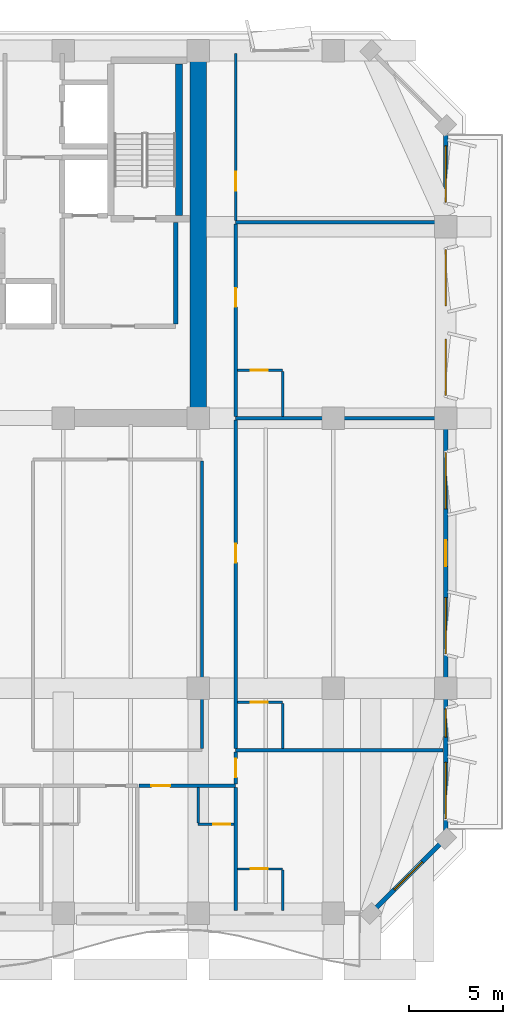
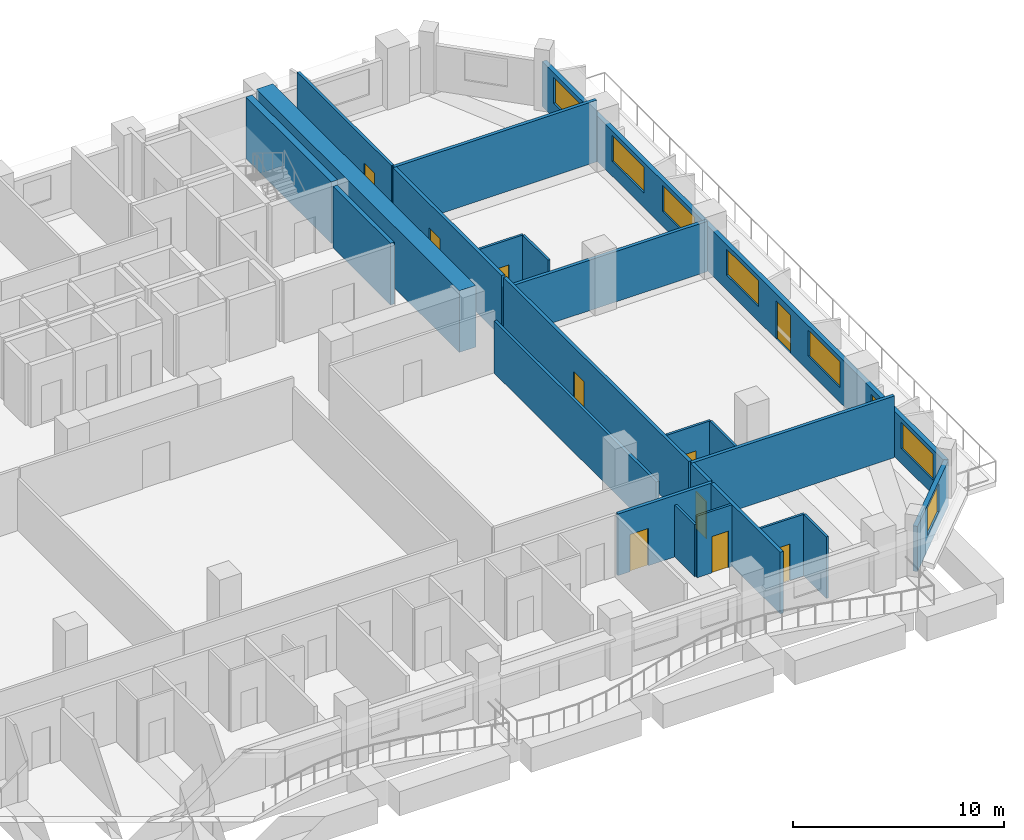
# One storey, part 10 of 16: 23 walls, 10 doors, 8 windows, 18 openings.
"""IFC4 building model written with IfcOpenShell, lengths in metres."""

from ifc_helpers import new_model, si_unit, direction, frame, frame_2d, origin, place, context, subcontext, project, spatial, rectangle, extrude, material, layer, layer_set, type_object, element, fill, save


model = new_model("IFC4")

# Units and contexts
model_context = context("Model", 3, precision=1e-05, world=origin(), true_north=direction((0.0, 1.0)))
body_context = subcontext(model_context, "Body", "Model", "MODEL_VIEW")
ifc_project = project(units=[si_unit("LENGTHUNIT", "METRE"), si_unit("AREAUNIT", "SQUARE_METRE"), si_unit("VOLUMEUNIT", "CUBIC_METRE"), si_unit("PLANEANGLEUNIT", "RADIAN"), si_unit("MASSUNIT", "GRAM", prefix="KILO")], contexts=[model_context])

# Site, building, storey
site_placement = place(None, origin())
site = spatial("IfcSite", under=ifc_project, at=site_placement, CompositionType="ELEMENT")
building_placement = place(site_placement, origin())
building = spatial("IfcBuilding", under=site, at=building_placement, Name="Kaelvorn Grand Hotel", CompositionType="ELEMENT")
storey_placement = place(building_placement, frame((0.0, 0.0, 135.35009765625)))
storey = spatial("IfcBuildingStorey", under=building, at=storey_placement, Name="L32", CompositionType="ELEMENT", Elevation=135.35009765625)

# Wall
ifc_material_1 = material(Name="Concrete C60/75", Category="concrete")
ifc_layer_1 = layer(ifc_material_1, 0.89990234375)
ifc_layer_set_1 = layer_set([ifc_layer_1], Name="Concrete C60/75")
wall_type_1 = type_object("IfcWallType", Name="WL-CORE-900-C60", PredefinedType="SHEAR", material=ifc_layer_set_1)
wall_1_placement = place(storey_placement, frame((67.800048828125, 29.39990234375, 0.0), z_axis=(0.0, 0.0, 1.0), x_axis=(0.0, 1.0, 0.0)))
element("IfcWall", 1, at=wall_1_placement, inside=storey, type_object=wall_type_1, Name="L32 Rear-Core East Shear Wall", PredefinedType="SHEAR", context=body_context, shape_type="SweptSolid", body=[
    extrude(rectangle(XDim=19.2001953125, YDim=0.89990234375, at=frame_2d((9.60009765625, 0.0))), origin(), (0.0, 0.0, 1.0), 3.559814453125),
])

# Wall, opening, window
ifc_material_2 = material(Name="Concrete C40/50", Category="concrete")
ifc_layer_2 = layer(ifc_material_2, 0.239990234375)
ifc_layer_set_2 = layer_set([ifc_layer_2], Name="Concrete C40/50")
wall_type_2 = type_object("IfcWallType", Name="WL-EXT-240-C40", PredefinedType="SOLIDWALL", material=ifc_layer_set_2)
wall_2_placement = place(storey_placement, frame((77.0, 3.0, 0.0), z_axis=(0.0, 0.0, 1.0), x_axis=(0.707106781187, 0.707106781187, 0.0)))
wall_2 = element("IfcWall", 2, at=wall_2_placement, inside=storey, type_object=wall_type_2, Name="L32 Exterior Architectural Concrete Wall 02", PredefinedType="SOLIDWALL", context=body_context, shape_type="SweptSolid", body=[
    extrude(rectangle(XDim=5.65673828125, YDim=0.239990234375, at=frame_2d((2.828369140625, 0.0))), origin(), (0.0, 0.0, 1.0), 2.60986328125),
])
opening_1_placement = place(wall_2_placement, frame((1.7783203125, 0.0, 0.85009765625)))
opening_1 = element("IfcOpeningElement", 3, at=opening_1_placement, cuts=wall_2, Name="Opening W7", PredefinedType="OPENING", context=body_context, shape_type="SweptSolid", body=[
    extrude(rectangle(XDim=2.10009765625, YDim=1.60009765625, at=frame_2d((1.050048828125, 0.800048828125))), frame((0.0, 0.1298828125, 0.0), z_axis=(0.0, -1.0, 0.0), x_axis=(1.0, 0.0, 0.0)), (0.0, 0.0, 1.0), 0.260009765625),
])
ifc_material_3 = material(Name="Laminated Low-E Glass", Category="glass")
window_type_1 = type_object("IfcWindowType", Name="WIN-CHM-2100x1600", PartitioningType="SINGLE_PANEL", PredefinedType="WINDOW", material=ifc_material_3)
window_1_placement = place(opening_1_placement, origin())
window_1 = element("IfcWindow", 4, at=window_1_placement, inside=storey, type_object=window_type_1, Name="L32 Chamfered 45-Degree Corner Window SE", OverallHeight=1.60009765625, OverallWidth=2.10009765625, PartitioningType="SINGLE_PANEL", PredefinedType="WINDOW", context=body_context, shape_type="SweptSolid", body=[
    extrude(rectangle(XDim=2.10009765625, YDim=1.60009765625, at=frame_2d((1.050048828125, 0.800048828125))), frame((0.0, 0.030029296875, 0.0), z_axis=(0.0, -1.0, 0.0), x_axis=(1.0, 0.0, 0.0)), (0.0, 0.0, 1.0), 0.06005859375),
])
fill(opening_1, window_1)

# Wall, openings, door, windows
wall_3_placement = place(storey_placement, frame((81.0, 7.0, 0.0), z_axis=(0.0, 0.0, 1.0), x_axis=(0.0, 1.0, 0.0)))
wall_3 = element("IfcWall", 5, at=wall_3_placement, inside=storey, type_object=wall_type_2, Name="L32 Exterior Architectural Concrete Wall 03", PredefinedType="SOLIDWALL", context=body_context, shape_type="SweptSolid", body=[
    extrude(rectangle(XDim=38.0, YDim=0.239990234375, at=frame_2d((19.0, 0.0))), origin(), (0.0, 0.0, 1.0), 2.60986328125),
])
opening_2_placement = place(wall_3_placement, frame((14.5, 0.0, 0.0)))
opening_2 = element("IfcOpeningElement", 6, at=opening_2_placement, cuts=wall_3, Name="Opening DE3", PredefinedType="OPENING", context=body_context, shape_type="SweptSolid", body=[
    extrude(rectangle(XDim=1.39990234375, YDim=2.199951171875, at=frame_2d((0.699951171875, 1.10009765625))), frame((0.0, 0.1298828125, 0.0), z_axis=(0.0, -1.0, 0.0), x_axis=(1.0, 0.0, 0.0)), (0.0, 0.0, 1.0), 0.260009765625),
])
opening_3_placement = place(wall_3_placement, frame((1.050048828125, 0.0, 0.85009765625)))
opening_3 = element("IfcOpeningElement", 7, at=opening_3_placement, cuts=wall_3, Name="Opening W5", PredefinedType="OPENING", context=body_context, shape_type="SweptSolid", body=[
    extrude(rectangle(XDim=3.0, YDim=1.5, at=frame_2d((1.5, 0.75))), frame((0.0, 0.1298828125, 0.0), z_axis=(0.0, -1.0, 0.0), x_axis=(1.0, 0.0, 0.0)), (0.0, 0.0, 1.0), 0.260009765625),
])
opening_4_placement = place(wall_3_placement, frame((5.39990234375, 0.0, 0.85009765625)))
opening_4 = element("IfcOpeningElement", 8, at=opening_4_placement, cuts=wall_3, Name="Opening W10", PredefinedType="OPENING", context=body_context, shape_type="SweptSolid", body=[
    extrude(rectangle(XDim=1.5, YDim=1.39990234375, at=frame_2d((0.75, 0.699951171875))), frame((0.0, 0.1298828125, 0.0), z_axis=(0.0, -1.0, 0.0), x_axis=(1.0, 0.0, 0.0)), (0.0, 0.0, 1.0), 0.260009765625),
])
opening_5_placement = place(wall_3_placement, frame((9.840087890625, 0.0, 0.85009765625)))
opening_5 = element("IfcOpeningElement", 9, at=opening_5_placement, cuts=wall_3, Name="Opening W5", PredefinedType="OPENING", context=body_context, shape_type="SweptSolid", body=[
    extrude(rectangle(XDim=3.0, YDim=1.5, at=frame_2d((1.5, 0.75))), frame((0.0, 0.1298828125, 0.0), z_axis=(0.0, -1.0, 0.0), x_axis=(1.0, 0.0, 0.0)), (0.0, 0.0, 1.0), 0.260009765625),
])
opening_6_placement = place(wall_3_placement, frame((17.56005859375, 0.0, 0.85009765625)))
opening_6 = element("IfcOpeningElement", 10, at=opening_6_placement, cuts=wall_3, Name="Opening W5", PredefinedType="OPENING", context=body_context, shape_type="SweptSolid", body=[
    extrude(rectangle(XDim=3.0, YDim=1.5, at=frame_2d((1.5, 0.75))), frame((0.0, 0.1298828125, 0.0), z_axis=(0.0, -1.0, 0.0), x_axis=(1.0, 0.0, 0.0)), (0.0, 0.0, 1.0), 0.260009765625),
])
opening_7_placement = place(wall_3_placement, frame((23.614990234375, 0.0, 0.85009765625)))
opening_7 = element("IfcOpeningElement", 11, at=opening_7_placement, cuts=wall_3, Name="Opening W5", PredefinedType="OPENING", context=body_context, shape_type="SweptSolid", body=[
    extrude(rectangle(XDim=3.0, YDim=1.5, at=frame_2d((1.5, 0.75))), frame((0.0, 0.1298828125, 0.0), z_axis=(0.0, -1.0, 0.0), x_axis=(1.0, 0.0, 0.0)), (0.0, 0.0, 1.0), 0.260009765625),
])
opening_8_placement = place(wall_3_placement, frame((28.385009765625, 0.0, 0.85009765625)))
opening_8 = element("IfcOpeningElement", 12, at=opening_8_placement, cuts=wall_3, Name="Opening W5", PredefinedType="OPENING", context=body_context, shape_type="SweptSolid", body=[
    extrude(rectangle(XDim=3.0, YDim=1.5, at=frame_2d((1.5, 0.75))), frame((0.0, 0.1298828125, 0.0), z_axis=(0.0, -1.0, 0.0), x_axis=(1.0, 0.0, 0.0)), (0.0, 0.0, 1.0), 0.260009765625),
])
opening_9_placement = place(wall_3_placement, frame((33.9150390625, 0.0, 0.85009765625)))
opening_9 = element("IfcOpeningElement", 13, at=opening_9_placement, cuts=wall_3, Name="Opening W5", PredefinedType="OPENING", context=body_context, shape_type="SweptSolid", body=[
    extrude(rectangle(XDim=3.0, YDim=1.5, at=frame_2d((1.5, 0.75))), frame((0.0, 0.1298828125, 0.0), z_axis=(0.0, -1.0, 0.0), x_axis=(1.0, 0.0, 0.0)), (0.0, 0.0, 1.0), 0.260009765625),
])
ifc_material_4 = material(Name="Anodised Aluminium", Category="aluminium")
door_type_1 = type_object("IfcDoorType", Name="DR-EXT-TERR-1400x2200", OperationType="NOTDEFINED", PredefinedType="DOOR", material=ifc_material_4)
door_1_placement = place(opening_2_placement, origin())
door_1 = element("IfcDoor", 14, at=door_1_placement, inside=storey, type_object=door_type_1, Name="L32 East Setback Terrace Step-Free Door DE3-E", OperationType="SINGLE_SWING_RIGHT", OverallHeight=2.199951171875, OverallWidth=1.39990234375, PredefinedType="DOOR", context=body_context, shape_type="SweptSolid", body=[
    extrude(rectangle(XDim=1.39990234375, YDim=2.199951171875, at=frame_2d((0.699951171875, 1.10009765625))), frame((0.0, 0.02490234375, 0.0), z_axis=(0.0, -1.0, 0.0), x_axis=(1.0, 0.0, 0.0)), (0.0, 0.0, 1.0), 0.050048828125),
])
fill(opening_2, door_1)
window_type_2 = type_object("IfcWindowType", Name="WIN-COR-1500x1400", PartitioningType="SINGLE_PANEL", PredefinedType="WINDOW", material=ifc_material_3)
window_2_placement = place(opening_4_placement, origin())
window_2 = element("IfcWindow", 15, at=window_2_placement, inside=storey, type_object=window_type_2, Name="L32 E Wing Tilted-Frame Ribbon Window E02", OverallHeight=1.39990234375, OverallWidth=1.5, PartitioningType="SINGLE_PANEL", PredefinedType="WINDOW", context=body_context, shape_type="SweptSolid", body=[
    extrude(rectangle(XDim=1.5, YDim=1.39990234375, at=frame_2d((0.75, 0.699951171875))), frame((0.0, 0.030029296875, 0.0), z_axis=(0.0, -1.0, 0.0), x_axis=(1.0, 0.0, 0.0)), (0.0, 0.0, 1.0), 0.06005859375),
])
fill(opening_4, window_2)
window_type_3 = type_object("IfcWindowType", Name="WIN-NTH-3000x1500", PartitioningType="SINGLE_PANEL", PredefinedType="WINDOW", material=ifc_material_3)
window_3_placement = place(opening_3_placement, origin())
window_3 = element("IfcWindow", 16, at=window_3_placement, inside=storey, type_object=window_type_3, Name="L32 E Wing Tilted-Frame Ribbon Window E01", OverallHeight=1.5, OverallWidth=3.0, PartitioningType="SINGLE_PANEL", PredefinedType="WINDOW", context=body_context, shape_type="SweptSolid", body=[
    extrude(rectangle(XDim=3.0, YDim=1.5, at=frame_2d((1.5, 0.75))), frame((0.0, 0.030029296875, 0.0), z_axis=(0.0, -1.0, 0.0), x_axis=(1.0, 0.0, 0.0)), (0.0, 0.0, 1.0), 0.06005859375),
])
fill(opening_3, window_3)
window_4_placement = place(opening_5_placement, origin())
window_4 = element("IfcWindow", 17, at=window_4_placement, inside=storey, type_object=window_type_3, Name="L32 E Wing Tilted-Frame Ribbon Window E03", OverallHeight=1.5, OverallWidth=3.0, PartitioningType="SINGLE_PANEL", PredefinedType="WINDOW", context=body_context, shape_type="SweptSolid", body=[
    extrude(rectangle(XDim=3.0, YDim=1.5, at=frame_2d((1.5, 0.75))), frame((0.0, 0.030029296875, 0.0), z_axis=(0.0, -1.0, 0.0), x_axis=(1.0, 0.0, 0.0)), (0.0, 0.0, 1.0), 0.06005859375),
])
fill(opening_5, window_4)
window_5_placement = place(opening_6_placement, origin())
window_5 = element("IfcWindow", 18, at=window_5_placement, inside=storey, type_object=window_type_3, Name="L32 E Wing Tilted-Frame Ribbon Window E04", OverallHeight=1.5, OverallWidth=3.0, PartitioningType="SINGLE_PANEL", PredefinedType="WINDOW", context=body_context, shape_type="SweptSolid", body=[
    extrude(rectangle(XDim=3.0, YDim=1.5, at=frame_2d((1.5, 0.75))), frame((0.0, 0.030029296875, 0.0), z_axis=(0.0, -1.0, 0.0), x_axis=(1.0, 0.0, 0.0)), (0.0, 0.0, 1.0), 0.06005859375),
])
fill(opening_6, window_5)
window_6_placement = place(opening_7_placement, origin())
window_6 = element("IfcWindow", 19, at=window_6_placement, inside=storey, type_object=window_type_3, Name="L32 E Wing Tilted-Frame Ribbon Window E05", OverallHeight=1.5, OverallWidth=3.0, PartitioningType="SINGLE_PANEL", PredefinedType="WINDOW", context=body_context, shape_type="SweptSolid", body=[
    extrude(rectangle(XDim=3.0, YDim=1.5, at=frame_2d((1.5, 0.75))), frame((0.0, 0.030029296875, 0.0), z_axis=(0.0, -1.0, 0.0), x_axis=(1.0, 0.0, 0.0)), (0.0, 0.0, 1.0), 0.06005859375),
])
fill(opening_7, window_6)
window_7_placement = place(opening_8_placement, origin())
window_7 = element("IfcWindow", 20, at=window_7_placement, inside=storey, type_object=window_type_3, Name="L32 E Wing Tilted-Frame Ribbon Window E06", OverallHeight=1.5, OverallWidth=3.0, PartitioningType="SINGLE_PANEL", PredefinedType="WINDOW", context=body_context, shape_type="SweptSolid", body=[
    extrude(rectangle(XDim=3.0, YDim=1.5, at=frame_2d((1.5, 0.75))), frame((0.0, 0.030029296875, 0.0), z_axis=(0.0, -1.0, 0.0), x_axis=(1.0, 0.0, 0.0)), (0.0, 0.0, 1.0), 0.06005859375),
])
fill(opening_8, window_7)
window_8_placement = place(opening_9_placement, origin())
window_8 = element("IfcWindow", 21, at=window_8_placement, inside=storey, type_object=window_type_3, Name="L32 E Wing Tilted-Frame Ribbon Window E07", OverallHeight=1.5, OverallWidth=3.0, PartitioningType="SINGLE_PANEL", PredefinedType="WINDOW", context=body_context, shape_type="SweptSolid", body=[
    extrude(rectangle(XDim=3.0, YDim=1.5, at=frame_2d((1.5, 0.75))), frame((0.0, 0.030029296875, 0.0), z_axis=(0.0, -1.0, 0.0), x_axis=(1.0, 0.0, 0.0)), (0.0, 0.0, 1.0), 0.06005859375),
])
fill(opening_9, window_8)

# Wall, opening, door
ifc_material_5 = material(Name="Moisture-Resistant Tile & Stud Board")
ifc_layer_3 = layer(ifc_material_5, 0.125)
ifc_layer_set_3 = layer_set([ifc_layer_3], Name="Moisture-Resistant Tile & Stud Board")
wall_type_3 = type_object("IfcWallType", Name="WL-PART-125-WET", PredefinedType="PARTITIONING", material=ifc_layer_set_3)
wall_4_placement = place(storey_placement, frame((67.800048828125, 7.75, 0.0), z_axis=(0.0, 0.0, 1.0), x_axis=(1.0, 0.0, 0.0)))
wall_4 = element("IfcWall", 22, at=wall_4_placement, inside=storey, type_object=wall_type_3, Name="L32 En-suite Bathroom L32-11 S Partition", PredefinedType="PARTITIONING", context=body_context, shape_type="SweptSolid", body=[
    extrude(rectangle(XDim=1.905029296875, YDim=0.125, at=frame_2d((0.95263671875, 0.0))), origin(), (0.0, 0.0, 1.0), 3.559814453125),
])
opening_10_placement = place(wall_4_placement, frame((0.800048828125, 0.0, 0.0)))
opening_10 = element("IfcOpeningElement", 23, at=opening_10_placement, cuts=wall_4, Name="Opening DI4", PredefinedType="OPENING", context=body_context, shape_type="SweptSolid", body=[
    extrude(rectangle(XDim=0.89990234375, YDim=2.10009765625, at=frame_2d((0.449951171875, 1.050048828125))), frame((0.0, 0.072509765625, 0.0), z_axis=(0.0, -1.0, 0.0), x_axis=(1.0, 0.0, 0.0)), (0.0, 0.0, 1.0), 0.14501953125),
])
ifc_material_6 = material(Name="Timber Veneer Leaf", Category="wood")
door_type_2 = type_object("IfcDoorType", Name="DR-INT-BATH-900x2100", OperationType="NOTDEFINED", PredefinedType="DOOR", material=ifc_material_6)
door_2_placement = place(opening_10_placement, origin())
door_2 = element("IfcDoor", 24, at=door_2_placement, inside=storey, type_object=door_type_2, Name="L32 En-suite Bathroom L32-11 Door", OperationType="SINGLE_SWING_RIGHT", OverallHeight=2.10009765625, OverallWidth=0.89990234375, PredefinedType="DOOR", context=body_context, shape_type="SweptSolid", body=[
    extrude(rectangle(XDim=0.89990234375, YDim=2.10009765625, at=frame_2d((0.449951171875, 1.050048828125))), frame((0.0, 0.02490234375, 0.0), z_axis=(0.0, -1.0, 0.0), x_axis=(1.0, 0.0, 0.0)), (0.0, 0.0, 1.0), 0.050048828125),
])
fill(opening_10, door_2)

# Wall
wall_5_placement = place(storey_placement, frame((67.800048828125, 7.8173828125, 0.0), z_axis=(0.0, 0.0, 1.0), x_axis=(0.0, 1.0, 0.0)))
element("IfcWall", 25, at=wall_5_placement, inside=storey, type_object=wall_type_3, Name="L32 En-suite Bathroom L32-11 W Partition", PredefinedType="PARTITIONING", context=body_context, shape_type="SweptSolid", body=[
    extrude(rectangle(XDim=1.8876953125, YDim=0.125, at=frame_2d((0.94384765625, 0.0))), origin(), (0.0, 0.0, 1.0), 3.010009765625),
])

# Wall, opening, door
wall_6_placement = place(storey_placement, frame((69.89501953125, 5.3701171875, 0.0), z_axis=(0.0, 0.0, 1.0), x_axis=(1.0, 0.0, 0.0)))
wall_6 = element("IfcWall", 26, at=wall_6_placement, inside=storey, type_object=wall_type_3, Name="L32 En-suite Bathroom L32-14 N Partition", PredefinedType="PARTITIONING", context=body_context, shape_type="SweptSolid", body=[
    extrude(rectangle(XDim=2.405029296875, YDim=0.125, at=frame_2d((1.20263671875, 0.0))), origin(), (0.0, 0.0, 1.0), 3.559814453125),
])
opening_11_placement = place(wall_6_placement, frame((0.705078125, 0.0, 0.0)))
opening_11 = element("IfcOpeningElement", 27, at=opening_11_placement, cuts=wall_6, Name="Opening DI4", PredefinedType="OPENING", context=body_context, shape_type="SweptSolid", body=[
    extrude(rectangle(XDim=0.89990234375, YDim=2.10009765625, at=frame_2d((0.449951171875, 1.050048828125))), frame((0.0, 0.072509765625, 0.0), z_axis=(0.0, -1.0, 0.0), x_axis=(1.0, 0.0, 0.0)), (0.0, 0.0, 1.0), 0.14501953125),
])
door_3_placement = place(opening_11_placement, origin())
door_3 = element("IfcDoor", 28, at=door_3_placement, inside=storey, type_object=door_type_2, Name="L32 En-suite Bathroom L32-14 Door", OperationType="SINGLE_SWING_RIGHT", OverallHeight=2.10009765625, OverallWidth=0.89990234375, PredefinedType="DOOR", context=body_context, shape_type="SweptSolid", body=[
    extrude(rectangle(XDim=0.89990234375, YDim=2.10009765625, at=frame_2d((0.449951171875, 1.050048828125))), frame((0.0, 0.02490234375, 0.0), z_axis=(0.0, -1.0, 0.0), x_axis=(1.0, 0.0, 0.0)), (0.0, 0.0, 1.0), 0.050048828125),
])
fill(opening_11, door_3)

# Wall
wall_7_placement = place(storey_placement, frame((72.300048828125, 3.14990234375, 0.0), z_axis=(0.0, 0.0, 1.0), x_axis=(0.0, 1.0, 0.0)))
element("IfcWall", 29, at=wall_7_placement, inside=storey, type_object=wall_type_3, Name="L32 En-suite Bathroom L32-14 E Partition", PredefinedType="PARTITIONING", context=body_context, shape_type="SweptSolid", body=[
    extrude(rectangle(XDim=2.152587890625, YDim=0.125, at=frame_2d((1.076171875, 0.0))), origin(), (0.0, 0.0, 1.0), 3.559814453125),
])

# Wall, opening, door
wall_8_placement = place(storey_placement, frame((69.89501953125, 14.25, 0.0), z_axis=(0.0, 0.0, 1.0), x_axis=(1.0, 0.0, 0.0)))
wall_8 = element("IfcWall", 30, at=wall_8_placement, inside=storey, type_object=wall_type_3, Name="L32 En-suite Bathroom L32-15 N Partition", PredefinedType="PARTITIONING", context=body_context, shape_type="SweptSolid", body=[
    extrude(rectangle(XDim=2.405029296875, YDim=0.125, at=frame_2d((1.20263671875, 0.0))), origin(), (0.0, 0.0, 1.0), 3.559814453125),
])
opening_12_placement = place(wall_8_placement, frame((0.705078125, 0.0, 0.0)))
opening_12 = element("IfcOpeningElement", 31, at=opening_12_placement, cuts=wall_8, Name="Opening DI4", PredefinedType="OPENING", context=body_context, shape_type="SweptSolid", body=[
    extrude(rectangle(XDim=0.89990234375, YDim=2.10009765625, at=frame_2d((0.449951171875, 1.050048828125))), frame((0.0, 0.072509765625, 0.0), z_axis=(0.0, -1.0, 0.0), x_axis=(1.0, 0.0, 0.0)), (0.0, 0.0, 1.0), 0.14501953125),
])
door_4_placement = place(opening_12_placement, origin())
door_4 = element("IfcDoor", 32, at=door_4_placement, inside=storey, type_object=door_type_2, Name="L32 En-suite Bathroom L32-15 Door", OperationType="SINGLE_SWING_RIGHT", OverallHeight=2.10009765625, OverallWidth=0.89990234375, PredefinedType="DOOR", context=body_context, shape_type="SweptSolid", body=[
    extrude(rectangle(XDim=0.89990234375, YDim=2.10009765625, at=frame_2d((0.449951171875, 1.050048828125))), frame((0.0, 0.02490234375, 0.0), z_axis=(0.0, -1.0, 0.0), x_axis=(1.0, 0.0, 0.0)), (0.0, 0.0, 1.0), 0.050048828125),
])
fill(opening_12, door_4)

# Wall
wall_9_placement = place(storey_placement, frame((72.300048828125, 11.794921875, 0.0), z_axis=(0.0, 0.0, 1.0), x_axis=(0.0, 1.0, 0.0)))
element("IfcWall", 33, at=wall_9_placement, inside=storey, type_object=wall_type_3, Name="L32 En-suite Bathroom L32-15 E Partition", PredefinedType="PARTITIONING", context=body_context, shape_type="SweptSolid", body=[
    extrude(rectangle(XDim=2.3876953125, YDim=0.125, at=frame_2d((1.19384765625, 0.0))), origin(), (0.0, 0.0, 1.0), 3.559814453125),
])

# Wall, opening, door
wall_10_placement = place(storey_placement, frame((69.89501953125, 31.949951171875, 0.0), z_axis=(0.0, 0.0, 1.0), x_axis=(1.0, 0.0, 0.0)))
wall_10 = element("IfcWall", 34, at=wall_10_placement, inside=storey, type_object=wall_type_3, Name="L32 En-suite Bathroom L32-17 N Partition", PredefinedType="PARTITIONING", context=body_context, shape_type="SweptSolid", body=[
    extrude(rectangle(XDim=2.405029296875, YDim=0.125, at=frame_2d((1.20263671875, 0.0))), origin(), (0.0, 0.0, 1.0), 3.559814453125),
])
opening_13_placement = place(wall_10_placement, frame((0.705078125, 0.0, 0.0)))
opening_13 = element("IfcOpeningElement", 35, at=opening_13_placement, cuts=wall_10, Name="Opening DI4", PredefinedType="OPENING", context=body_context, shape_type="SweptSolid", body=[
    extrude(rectangle(XDim=0.89990234375, YDim=2.10009765625, at=frame_2d((0.449951171875, 1.050048828125))), frame((0.0, 0.072509765625, 0.0), z_axis=(0.0, -1.0, 0.0), x_axis=(1.0, 0.0, 0.0)), (0.0, 0.0, 1.0), 0.14501953125),
])
door_5_placement = place(opening_13_placement, origin())
door_5 = element("IfcDoor", 36, at=door_5_placement, inside=storey, type_object=door_type_2, Name="L32 En-suite Bathroom L32-17 Door", OperationType="SINGLE_SWING_LEFT", OverallHeight=2.10009765625, OverallWidth=0.89990234375, PredefinedType="DOOR", context=body_context, shape_type="SweptSolid", body=[
    extrude(rectangle(XDim=0.89990234375, YDim=2.10009765625, at=frame_2d((0.449951171875, 1.050048828125))), frame((0.0, 0.02490234375, 0.0), z_axis=(0.0, -1.0, 0.0), x_axis=(1.0, 0.0, 0.0)), (0.0, 0.0, 1.0), 0.050048828125),
])
fill(opening_13, door_5)

# Walls
wall_11_placement = place(storey_placement, frame((72.300048828125, 29.4951171875, 0.0), z_axis=(0.0, 0.0, 1.0), x_axis=(0.0, 1.0, 0.0)))
element("IfcWall", 37, at=wall_11_placement, inside=storey, type_object=wall_type_3, Name="L32 En-suite Bathroom L32-17 E Partition", PredefinedType="PARTITIONING", context=body_context, shape_type="SweptSolid", body=[
    extrude(rectangle(XDim=2.387451171875, YDim=0.125, at=frame_2d((1.19384765625, 0.0))), origin(), (0.0, 0.0, 1.0), 3.559814453125),
])
ifc_material_7 = material(Name="Acoustic Gypsum & Stud Partition")
ifc_layer_4 = layer(ifc_material_7, 0.14990234375)
ifc_layer_set_4 = layer_set([ifc_layer_4], Name="Acoustic Gypsum & Stud Partition")
wall_type_4 = type_object("IfcWallType", Name="WL-PART-150-EI60", PredefinedType="PARTITIONING", material=ifc_layer_set_4)
wall_12_placement = place(storey_placement, frame((68.0, 11.780029296875, 0.0), z_axis=(0.0, 0.0, 1.0), x_axis=(0.0, 1.0, 0.0)))
element("IfcWall", 38, at=wall_12_placement, inside=storey, type_object=wall_type_4, Name="L32 Business Secretariat Office E Partition", PredefinedType="PARTITIONING", context=body_context, shape_type="SweptSolid", body=[
    extrude(rectangle(XDim=15.340087890625, YDim=0.14990234375, at=frame_2d((7.669921875, 0.0))), origin(), (0.0, 0.0, 1.0), 3.010009765625),
])

# Wall, opening, door
wall_13_placement = place(storey_placement, frame((69.800048828125, 39.945068359375, 0.0), z_axis=(0.0, 0.0, 1.0), x_axis=(0.0, 1.0, 0.0)))
wall_13 = element("IfcWall", 39, at=wall_13_placement, inside=storey, type_object=wall_type_4, Name="L32 North-East Suite Living Room W Partition", PredefinedType="PARTITIONING", context=body_context, shape_type="SweptSolid", body=[
    extrude(rectangle(XDim=8.905029296875, YDim=0.14990234375, at=frame_2d((4.45263671875, 0.0))), origin(), (0.0, 0.0, 1.0), 3.559814453125),
])
opening_14_placement = place(wall_13_placement, frame((1.5849609375, 0.0, 0.0)))
opening_14 = element("IfcOpeningElement", 40, at=opening_14_placement, cuts=wall_13, Name="Opening DI3", PredefinedType="OPENING", context=body_context, shape_type="SweptSolid", body=[
    extrude(rectangle(XDim=1.0, YDim=2.14990234375, at=frame_2d((0.5, 1.074951171875))), frame((0.0, 0.0849609375, 0.0), z_axis=(0.0, -1.0, 0.0), x_axis=(1.0, 0.0, 0.0)), (0.0, 0.0, 1.0), 0.169921875),
])
ifc_material_8 = material(Name="Timber Veneer Fire Leaf", Category="wood")
door_type_3 = type_object("IfcDoorType", Name="DR-INT-GUEST-1000x2150", OperationType="NOTDEFINED", PredefinedType="DOOR", material=ifc_material_8)
door_6_placement = place(opening_14_placement, origin())
door_6 = element("IfcDoor", 41, at=door_6_placement, inside=storey, type_object=door_type_3, Name="L32 North-East Suite Living Room Door", OperationType="SINGLE_SWING_RIGHT", OverallHeight=2.14990234375, OverallWidth=1.0, PredefinedType="DOOR", context=body_context, shape_type="SweptSolid", body=[
    extrude(rectangle(XDim=1.0, YDim=2.14990234375, at=frame_2d((0.5, 1.074951171875))), frame((0.0, 0.02490234375, 0.0), z_axis=(0.0, -1.0, 0.0), x_axis=(1.0, 0.0, 0.0)), (0.0, 0.0, 1.0), 0.050048828125),
])
fill(opening_14, door_6)

ifc_layer_5 = layer(ifc_material_7, 0.179931640625)
ifc_layer_set_5 = layer_set([ifc_layer_5], Name="Acoustic Gypsum & Stud Partition")
wall_type_5 = type_object("IfcWallType", Name="WL-PART-180-EI60", PredefinedType="PARTITIONING", material=ifc_layer_set_5)
wall_14_placement = place(storey_placement, frame((64.65576171875, 9.800048828125, 0.0), z_axis=(0.0, 0.0, 1.0), x_axis=(1.0, 0.0, 0.0)))
wall_14 = element("IfcWall", 42, at=wall_14_placement, inside=storey, type_object=wall_type_5, Name="L32 Superior King Guest Room L32-11 N Partition", PredefinedType="PARTITIONING", context=body_context, shape_type="SweptSolid", body=[
    extrude(rectangle(XDim=5.144287109375, YDim=0.179931640625, at=frame_2d((2.572265625, 0.0))), origin(), (0.0, 0.0, 1.0), 3.559814453125),
])
opening_15_placement = place(wall_14_placement, frame((0.64990234375, 0.0, 0.0)))
opening_15 = element("IfcOpeningElement", 43, at=opening_15_placement, cuts=wall_14, Name="Opening DI3", PredefinedType="OPENING", context=body_context, shape_type="SweptSolid", body=[
    extrude(rectangle(XDim=1.0, YDim=2.14990234375, at=frame_2d((0.5, 1.074951171875))), frame((0.0, 0.10009765625, 0.0), z_axis=(0.0, -1.0, 0.0), x_axis=(1.0, 0.0, 0.0)), (0.0, 0.0, 1.0), 0.199951171875),
])
door_7_placement = place(opening_15_placement, origin())
door_7 = element("IfcDoor", 44, at=door_7_placement, inside=storey, type_object=door_type_3, Name="L32 Superior King Guest Room L32-11 Door", OperationType="SINGLE_SWING_LEFT", OverallHeight=2.14990234375, OverallWidth=1.0, PredefinedType="DOOR", context=body_context, shape_type="SweptSolid", body=[
    extrude(rectangle(XDim=1.0, YDim=2.14990234375, at=frame_2d((0.5, 1.074951171875))), frame((0.0, 0.02490234375, 0.0), z_axis=(0.0, -1.0, 0.0), x_axis=(1.0, 0.0, 0.0)), (0.0, 0.0, 1.0), 0.050048828125),
])
fill(opening_15, door_7)

# Walls
wall_15_placement = place(storey_placement, frame((69.800048828125, 3.14990234375, 0.0), z_axis=(0.0, 0.0, 1.0), x_axis=(0.0, 1.0, 0.0)))
element("IfcWall", 45, at=wall_15_placement, inside=storey, type_object=wall_type_5, Name="L32 Superior King Guest Room L32-11 E Partition", PredefinedType="PARTITIONING", context=body_context, shape_type="SweptSolid", body=[
    extrude(rectangle(XDim=6.55517578125, YDim=0.179931640625, at=frame_2d((3.277587890625, 0.0))), origin(), (0.0, 0.0, 1.0), 3.559814453125),
])
wall_16_placement = place(storey_placement, frame((69.800048828125, 11.699951171875, 0.0), z_axis=(0.0, 0.0, 1.0), x_axis=(1.0, 0.0, 0.0)))
element("IfcWall", 46, at=wall_16_placement, inside=storey, type_object=wall_type_5, Name="L32 South-East Chamfer Suite L32-14 N Partition", PredefinedType="PARTITIONING", context=body_context, shape_type="SweptSolid", body=[
    extrude(rectangle(XDim=11.050048828125, YDim=0.179931640625, at=frame_2d((5.52490234375, 0.0))), origin(), (0.0, 0.0, 1.0), 3.559814453125),
])

# Wall, opening, door
wall_17_placement = place(storey_placement, frame((69.800048828125, 9.89501953125, 0.0), z_axis=(0.0, 0.0, 1.0), x_axis=(0.0, 1.0, 0.0)))
wall_17 = element("IfcWall", 47, at=wall_17_placement, inside=storey, type_object=wall_type_5, Name="L32 South-East Chamfer Suite L32-14 W Partition", PredefinedType="PARTITIONING", context=body_context, shape_type="SweptSolid", body=[
    extrude(rectangle(XDim=1.7099609375, YDim=0.179931640625, at=frame_2d((0.85498046875, 0.0))), origin(), (0.0, 0.0, 1.0), 3.559814453125),
])
opening_16_placement = place(wall_17_placement, frame((0.35498046875, 0.0, 0.0)))
opening_16 = element("IfcOpeningElement", 48, at=opening_16_placement, cuts=wall_17, Name="Opening DI3", PredefinedType="OPENING", context=body_context, shape_type="SweptSolid", body=[
    extrude(rectangle(XDim=1.0, YDim=2.14990234375, at=frame_2d((0.5, 1.074951171875))), frame((0.0, 0.10009765625, 0.0), z_axis=(0.0, -1.0, 0.0), x_axis=(1.0, 0.0, 0.0)), (0.0, 0.0, 1.0), 0.199951171875),
])
door_8_placement = place(opening_16_placement, origin())
door_8 = element("IfcDoor", 49, at=door_8_placement, inside=storey, type_object=door_type_3, Name="L32 South-East Chamfer Suite L32-14 Door", OperationType="SINGLE_SWING_LEFT", OverallHeight=2.14990234375, OverallWidth=1.0, PredefinedType="DOOR", context=body_context, shape_type="SweptSolid", body=[
    extrude(rectangle(XDim=1.0, YDim=2.14990234375, at=frame_2d((0.5, 1.074951171875))), frame((0.0, 0.02490234375, 0.0), z_axis=(0.0, -1.0, 0.0), x_axis=(1.0, 0.0, 0.0)), (0.0, 0.0, 1.0), 0.050048828125),
])
fill(opening_16, door_8)

# Wall
wall_18_placement = place(storey_placement, frame((69.800048828125, 29.39990234375, 0.0), z_axis=(0.0, 0.0, 1.0), x_axis=(1.0, 0.0, 0.0)))
element("IfcWall", 50, at=wall_18_placement, inside=storey, type_object=wall_type_5, Name="L32 East End Panoramic Suite L32-15 N Partition", PredefinedType="PARTITIONING", context=body_context, shape_type="SweptSolid", body=[
    extrude(rectangle(XDim=11.050048828125, YDim=0.179931640625, at=frame_2d((5.52490234375, 0.0))), origin(), (0.0, 0.0, 1.0), 2.909912109375),
])

# Wall, opening, door
wall_19_placement = place(storey_placement, frame((69.800048828125, 11.794921875, 0.0), z_axis=(0.0, 0.0, 1.0), x_axis=(0.0, 1.0, 0.0)))
wall_19 = element("IfcWall", 51, at=wall_19_placement, inside=storey, type_object=wall_type_5, Name="L32 East End Panoramic Suite L32-15 W Partition", PredefinedType="PARTITIONING", context=body_context, shape_type="SweptSolid", body=[
    extrude(rectangle(XDim=17.510009765625, YDim=0.179931640625, at=frame_2d((8.7548828125, 0.0))), origin(), (0.0, 0.0, 1.0), 3.559814453125),
])
opening_17_placement = place(wall_19_placement, frame((9.905029296875, 0.0, 0.0)))
opening_17 = element("IfcOpeningElement", 52, at=opening_17_placement, cuts=wall_19, Name="Opening DI3", PredefinedType="OPENING", context=body_context, shape_type="SweptSolid", body=[
    extrude(rectangle(XDim=1.0, YDim=2.14990234375, at=frame_2d((0.5, 1.074951171875))), frame((0.0, 0.10009765625, 0.0), z_axis=(0.0, -1.0, 0.0), x_axis=(1.0, 0.0, 0.0)), (0.0, 0.0, 1.0), 0.199951171875),
])
door_9_placement = place(opening_17_placement, origin())
door_9 = element("IfcDoor", 53, at=door_9_placement, inside=storey, type_object=door_type_3, Name="L32 East End Panoramic Suite L32-15 Door", OperationType="SINGLE_SWING_LEFT", OverallHeight=2.14990234375, OverallWidth=1.0, PredefinedType="DOOR", context=body_context, shape_type="SweptSolid", body=[
    extrude(rectangle(XDim=1.0, YDim=2.14990234375, at=frame_2d((0.5, 1.074951171875))), frame((0.0, 0.02490234375, 0.0), z_axis=(0.0, -1.0, 0.0), x_axis=(1.0, 0.0, 0.0)), (0.0, 0.0, 1.0), 0.050048828125),
])
fill(opening_17, door_9)

# Wall
wall_20_placement = place(storey_placement, frame((69.800048828125, 39.85009765625, 0.0), z_axis=(0.0, 0.0, 1.0), x_axis=(1.0, 0.0, 0.0)))
element("IfcWall", 54, at=wall_20_placement, inside=storey, type_object=wall_type_5, Name="L32 North-East Wing Suite L32-17 N Partition", PredefinedType="PARTITIONING", context=body_context, shape_type="SweptSolid", body=[
    extrude(rectangle(XDim=11.050048828125, YDim=0.179931640625, at=frame_2d((5.52490234375, 0.0))), origin(), (0.0, 0.0, 1.0), 3.559814453125),
])

# Wall, opening, door
wall_21_placement = place(storey_placement, frame((69.800048828125, 29.4951171875, 0.0), z_axis=(0.0, 0.0, 1.0), x_axis=(0.0, 1.0, 0.0)))
wall_21 = element("IfcWall", 55, at=wall_21_placement, inside=storey, type_object=wall_type_5, Name="L32 North-East Wing Suite L32-17 W Partition", PredefinedType="PARTITIONING", context=body_context, shape_type="SweptSolid", body=[
    extrude(rectangle(XDim=10.259765625, YDim=0.179931640625, at=frame_2d((5.1298828125, 0.0))), origin(), (0.0, 0.0, 1.0), 3.559814453125),
])
opening_18_placement = place(wall_21_placement, frame((5.840087890625, 0.0, 0.0)))
opening_18 = element("IfcOpeningElement", 56, at=opening_18_placement, cuts=wall_21, Name="Opening DI3", PredefinedType="OPENING", context=body_context, shape_type="SweptSolid", body=[
    extrude(rectangle(XDim=1.0, YDim=2.14990234375, at=frame_2d((0.5, 1.074951171875))), frame((0.0, 0.10009765625, 0.0), z_axis=(0.0, -1.0, 0.0), x_axis=(1.0, 0.0, 0.0)), (0.0, 0.0, 1.0), 0.199951171875),
])
door_10_placement = place(opening_18_placement, origin())
door_10 = element("IfcDoor", 57, at=door_10_placement, inside=storey, type_object=door_type_3, Name="L32 North-East Wing Suite L32-17 Door", OperationType="SINGLE_SWING_RIGHT", OverallHeight=2.14990234375, OverallWidth=1.0, PredefinedType="DOOR", context=body_context, shape_type="SweptSolid", body=[
    extrude(rectangle(XDim=1.0, YDim=2.14990234375, at=frame_2d((0.5, 1.074951171875))), frame((0.0, 0.02490234375, 0.0), z_axis=(0.0, -1.0, 0.0), x_axis=(1.0, 0.0, 0.0)), (0.0, 0.0, 1.0), 0.050048828125),
])
fill(opening_18, door_10)

# Walls
ifc_layer_6 = layer(ifc_material_2, 0.219970703125)
ifc_layer_set_6 = layer_set([ifc_layer_6], Name="Concrete C40/50")
wall_type_6 = type_object("IfcWallType", Name="WL-PART-220-EI120", PredefinedType="PARTITIONING", material=ifc_layer_set_6)
wall_22_placement = place(storey_placement, frame((66.60009765625, 34.4150390625, 0.0), z_axis=(0.0, 0.0, 1.0), x_axis=(0.0, 1.0, 0.0)))
element("IfcWall", 58, at=wall_22_placement, inside=storey, type_object=wall_type_6, Name="L32 Firefighting Lift Lobby 2 E Partition", PredefinedType="PARTITIONING", context=body_context, shape_type="SweptSolid", body=[
    extrude(rectangle(XDim=5.429931640625, YDim=0.219970703125, at=frame_2d((2.71484375, 0.0))), origin(), (0.0, 0.0, 1.0), 3.559814453125),
])
ifc_layer_7 = layer(ifc_material_1, 0.35009765625)
ifc_layer_set_7 = layer_set([ifc_layer_7], Name="Concrete C60/75")
wall_type_7 = type_object("IfcWallType", Name="WL-SHAFT-350-C60", PredefinedType="SHEAR", material=ifc_layer_set_7)
wall_23_placement = place(storey_placement, frame((66.77490234375, 40.205078125, 0.0), z_axis=(0.0, 0.0, 1.0), x_axis=(0.0, 1.0, 0.0)))
element("IfcWall", 59, at=wall_23_placement, inside=storey, type_object=wall_type_7, Name="L32 ST3 Stair Shaft East Wall", PredefinedType="SHEAR", context=body_context, shape_type="SweptSolid", body=[
    extrude(rectangle(XDim=8.08984375, YDim=0.35009765625, at=frame_2d((4.044921875, 0.0))), origin(), (0.0, 0.0, 1.0), 3.559814453125),
])

save(model, "model.ifc")
